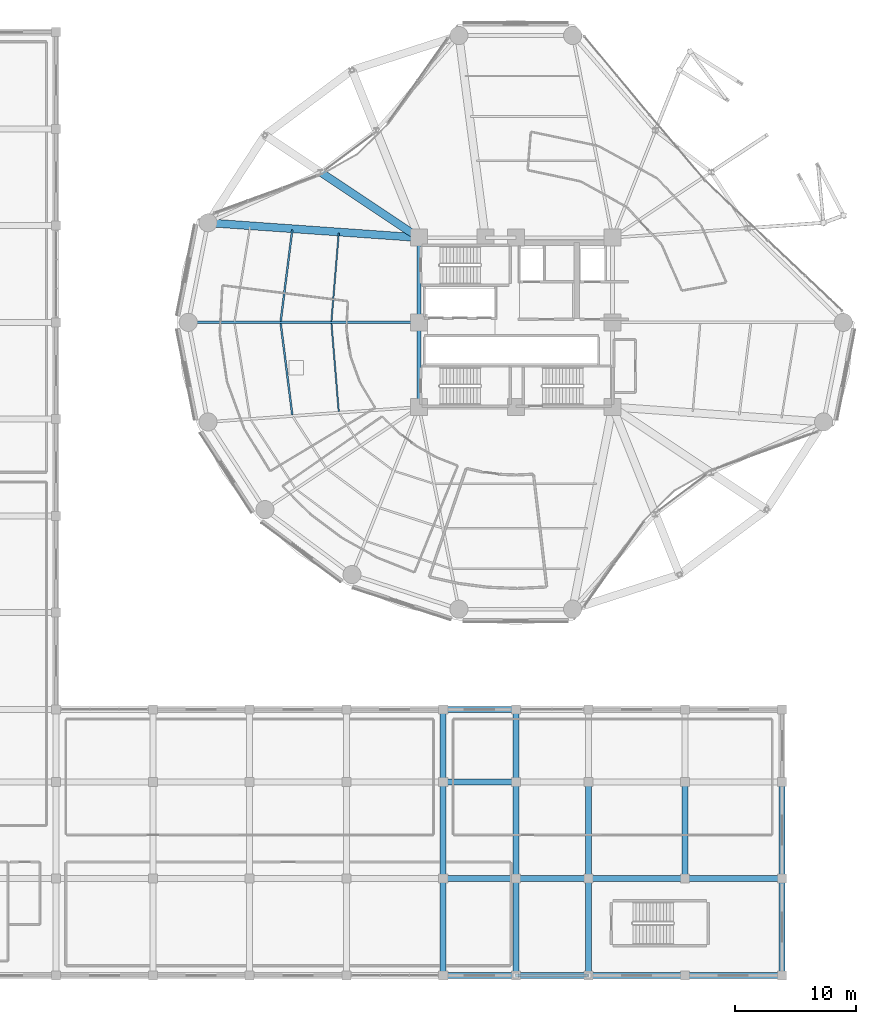
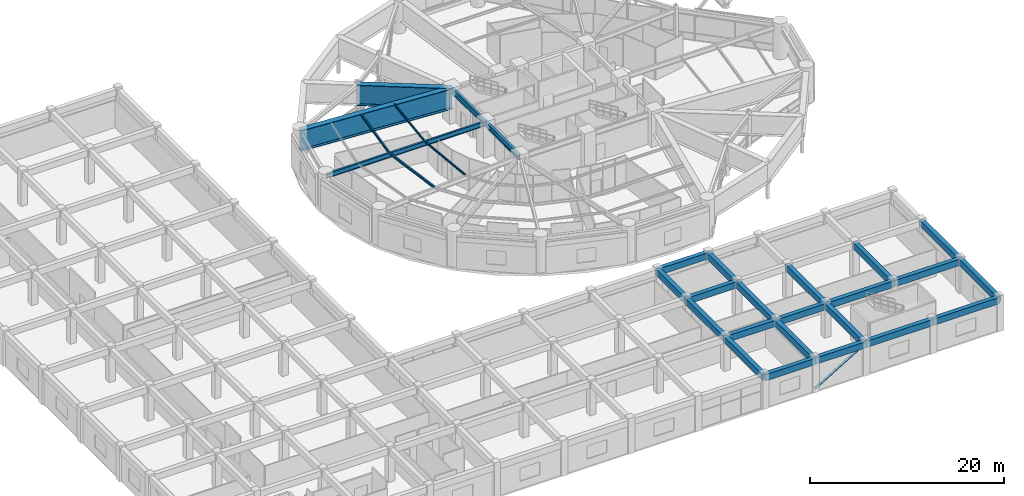
# One storey, part 16 of 53: 30 beams, 1 member.
"""IFC4 building model written with IfcOpenShell, lengths in metres."""

from ifc_helpers import new_model, si_unit, direction, frame, origin, origin_2d, place, context, subcontext, project, spatial, rectangle, hollow_circle, i_section, extrude, material, material_profile, profile_set, type_object, element, save


model = new_model("IFC4")

# Units and contexts
model_context = context("Model", 3, precision=1e-05, world=origin(), true_north=direction((0.0, 1.0)))
body_context = subcontext(model_context, "Body", "Model", "MODEL_VIEW")
ifc_project = project(units=[si_unit("LENGTHUNIT", "METRE"), si_unit("AREAUNIT", "SQUARE_METRE"), si_unit("VOLUMEUNIT", "CUBIC_METRE"), si_unit("PLANEANGLEUNIT", "RADIAN"), si_unit("MASSUNIT", "GRAM", prefix="KILO")], contexts=[model_context])

# Site, building, storey
site_placement = place(None, origin())
site = spatial("IfcSite", under=ifc_project, at=site_placement, CompositionType="ELEMENT")
building_placement = place(site_placement, origin())
building = spatial("IfcBuilding", under=site, at=building_placement, Name="Kelanora Arch Commons", CompositionType="ELEMENT")
storey_placement = place(building_placement, frame((0.0, 0.0, 9.0)))
storey = spatial("IfcBuildingStorey", under=building, at=storey_placement, Name="L02", CompositionType="ELEMENT", Elevation=9.0)

# Beams
ifc_material_1 = material(Name="Steel S355", Category="steel")
ifc_material_profile_1 = material_profile(ifc_material_1, i_section(OverallWidth=0.300048828125, OverallDepth=0.699951171875, WebThickness=0.01708984375, FlangeThickness=0.031982421875, FilletRadius=0.027099609375, at=origin_2d()), Name="HEB700")
ifc_profile_set_1 = profile_set([ifc_material_profile_1], Name="Steel S355")
beam_type_1 = type_object("IfcBeamType", Name="BM-CORE-HDR", PredefinedType="BEAM", material=ifc_profile_set_1)
for number, where, z_axis, x_axis, name in (
    (1, (66.0, 65.0, 3.75), (0.0, -1.0, 0.0), (1.0, 0.0, 0.0), "Core Header Beam 08 L02"),
    (2, (66.0, 58.0, 3.75), (0.0, -1.0, 0.0), (1.0, 0.0, 0.0), "Core Header Beam 09 L02"),
):
    element("IfcBeam", number, at=place(storey_placement, frame(where, z_axis=z_axis, x_axis=x_axis)), inside=storey, type_object=beam_type_1, Name=name, PredefinedType="BEAM", context=body_context, shape_type="SweptSolid", body=[
        extrude(i_section(OverallWidth=0.300048828125, OverallDepth=0.699951171875, WebThickness=0.01708984375, FlangeThickness=0.031982421875, FilletRadius=0.027099609375, at=origin_2d()), origin(), (0.0, 0.0, 1.0), 7.0),
    ])
ifc_material_profile_2 = material_profile(ifc_material_1, i_section(OverallWidth=0.14990234375, OverallDepth=0.300048828125, WebThickness=0.007080078125, FlangeThickness=0.0107421875, FilletRadius=0.014892578125, at=origin_2d()), Name="IPE300")
ifc_profile_set_2 = profile_set([ifc_material_profile_2], Name="Steel S355")
beam_type_2 = type_object("IfcBeamType", Name="BM-JST-01", PredefinedType="JOIST", material=ifc_profile_set_2)
for number, where, z_axis, x_axis, name in (
    (3, (55.521240234375, 65.6572265625, 3.949951171875), (-0.125565841651, -0.992085288375, 0.0), (0.992085288375, -0.125565841651, 0.0), "Secondary Chord Joist BJB-16 L02"),
    (4, (54.562744140625, 57.915771484375, 3.949951171875), (0.125565841651, -0.992085288375, 0.0), (0.992085288375, 0.125565841651, 0.0), "Secondary Chord Joist BJB-18 L02"),
):
    element("IfcBeam", number, at=place(storey_placement, frame(where, z_axis=z_axis, x_axis=x_axis)), inside=storey, type_object=beam_type_2, Name=name, PredefinedType="JOIST", context=body_context, shape_type="SweptSolid", body=[
        extrude(i_section(OverallWidth=0.14990234375, OverallDepth=0.300048828125, WebThickness=0.007080078125, FlangeThickness=0.0107421875, FilletRadius=0.014892578125, at=origin_2d()), origin(), (0.0, 0.0, 1.0), 7.63330078125),
    ])
ifc_material_profile_3 = material_profile(ifc_material_1, i_section(OverallWidth=0.1201171875, OverallDepth=0.239990234375, WebThickness=0.006103515625, FlangeThickness=0.009765625, FilletRadius=0.014892578125, at=origin_2d()), Name="IPE240")
ifc_profile_set_3 = profile_set([ifc_material_profile_3], Name="Steel S355")
beam_type_3 = type_object("IfcBeamType", Name="BM-JST-02", PredefinedType="JOIST", material=ifc_profile_set_3)
for number, where, z_axis, x_axis, name in (
    (5, (59.363037109375, 65.385009765625, 3.97998046875), (-0.082786209886, -0.996567330115, 0.0), (0.996567330115, -0.082786209886, 0.0), "Secondary Chord Joist BJA-16 L02"),
    (6, (58.756591796875, 57.915283203125, 3.97998046875), (0.082786209886, -0.996567330115, 0.0), (0.996567330115, 0.082786209886, 0.0), "Secondary Chord Joist BJA-18 L02"),
):
    element("IfcBeam", number, at=place(storey_placement, frame(where, z_axis=z_axis, x_axis=x_axis)), inside=storey, type_object=beam_type_3, Name=name, PredefinedType="JOIST", context=body_context, shape_type="SweptSolid", body=[
        extrude(i_section(OverallWidth=0.1201171875, OverallDepth=0.239990234375, WebThickness=0.006103515625, FlangeThickness=0.009765625, FilletRadius=0.014892578125, at=origin_2d()), origin(), (0.0, 0.0, 1.0), 7.325439453125),
    ])
ifc_material_2 = material(Name="Concrete C40/50", Category="concrete")
ifc_material_profile_4 = material_profile(ifc_material_2, rectangle(XDim=0.5, YDim=0.800048828125, at=origin_2d()), Name="RCB500x800")
ifc_profile_set_4 = profile_set([ifc_material_profile_4], Name="Concrete C40/50")
beam_type_4 = type_object("IfcBeamType", Name="BM-MKT-RC1", PredefinedType="BEAM", material=ifc_profile_set_4)
beam_1_placement = place(storey_placement, frame((68.0, 4.0, 3.840087890625), z_axis=(1.0, 0.0, 0.0), x_axis=(0.0, 1.0, 0.0)))
element("IfcBeam", 7, at=beam_1_placement, inside=storey, type_object=beam_type_4, Name="Market/Basement Frame Beam 115 L02", PredefinedType="BEAM", context=body_context, shape_type="SweptSolid", body=[
    extrude(rectangle(XDim=0.5, YDim=0.800048828125, at=origin_2d()), origin(), (0.0, 0.0, 1.0), 6.0),
])
beam_2_placement = place(storey_placement, frame((68.0, 4.0, 3.840087890625), z_axis=(0.0, 1.0, 0.0), x_axis=(-1.0, 0.0, 0.0)))
element("IfcBeam", 8, at=beam_2_placement, inside=storey, type_object=beam_type_4, Name="Market/Basement Frame Beam 116 L02", PredefinedType="BEAM", context=body_context, shape_type="SweptSolid", body=[
    extrude(rectangle(XDim=0.5, YDim=0.800048828125, at=origin_2d()), origin(), (0.0, 0.0, 1.0), 8.0),
])
beam_3_placement = place(storey_placement, frame((68.0, 12.0, 3.840087890625), z_axis=(1.0, 0.0, 0.0), x_axis=(0.0, 1.0, 0.0)))
element("IfcBeam", 9, at=beam_3_placement, inside=storey, type_object=beam_type_4, Name="Market/Basement Frame Beam 117 L02", PredefinedType="BEAM", context=body_context, shape_type="SweptSolid", body=[
    extrude(rectangle(XDim=0.5, YDim=0.800048828125, at=origin_2d()), origin(), (0.0, 0.0, 1.0), 6.0),
])
beam_4_placement = place(storey_placement, frame((68.0, 12.0, 3.840087890625), z_axis=(0.0, 1.0, 0.0), x_axis=(-1.0, 0.0, 0.0)))
element("IfcBeam", 10, at=beam_4_placement, inside=storey, type_object=beam_type_4, Name="Market/Basement Frame Beam 118 L02", PredefinedType="BEAM", context=body_context, shape_type="SweptSolid", body=[
    extrude(rectangle(XDim=0.5, YDim=0.800048828125, at=origin_2d()), origin(), (0.0, 0.0, 1.0), 8.0),
])
for number, where, z_axis, x_axis, name in (
    (11, (68.0, 20.0, 3.840087890625), (1.0, 0.0, 0.0), (0.0, 1.0, 0.0), "Market/Basement Frame Beam 119 L02"),
    (12, (68.0, 20.0, 3.840087890625), (0.0, 1.0, 0.0), (-1.0, 0.0, 0.0), "Market/Basement Frame Beam 120 L02"),
    (13, (68.0, 26.0, 3.840087890625), (1.0, 0.0, 0.0), (0.0, 1.0, 0.0), "Market/Basement Frame Beam 121 L02"),
    (14, (74.0, 4.0, 3.840087890625), (1.0, 0.0, 0.0), (0.0, 1.0, 0.0), "Market/Basement Frame Beam 122 L02"),
):
    element("IfcBeam", number, at=place(storey_placement, frame(where, z_axis=z_axis, x_axis=x_axis)), inside=storey, type_object=beam_type_4, Name=name, PredefinedType="BEAM", context=body_context, shape_type="SweptSolid", body=[
        extrude(rectangle(XDim=0.5, YDim=0.800048828125, at=origin_2d()), origin(), (0.0, 0.0, 1.0), 6.0),
    ])
beam_5_placement = place(storey_placement, frame((74.0, 4.0, 3.840087890625), z_axis=(0.0, 1.0, 0.0), x_axis=(-1.0, 0.0, 0.0)))
element("IfcBeam", 15, at=beam_5_placement, inside=storey, type_object=beam_type_4, Name="Market/Basement Frame Beam 123 L02", PredefinedType="BEAM", context=body_context, shape_type="SweptSolid", body=[
    extrude(rectangle(XDim=0.5, YDim=0.800048828125, at=origin_2d()), origin(), (0.0, 0.0, 1.0), 8.0),
])
beam_6_placement = place(storey_placement, frame((74.0, 12.0, 3.840087890625), z_axis=(1.0, 0.0, 0.0), x_axis=(0.0, 1.0, 0.0)))
element("IfcBeam", 16, at=beam_6_placement, inside=storey, type_object=beam_type_4, Name="Market/Basement Frame Beam 124 L02", PredefinedType="BEAM", context=body_context, shape_type="SweptSolid", body=[
    extrude(rectangle(XDim=0.5, YDim=0.800048828125, at=origin_2d()), origin(), (0.0, 0.0, 1.0), 6.0),
])
beam_7_placement = place(storey_placement, frame((74.0, 12.0, 3.840087890625), z_axis=(0.0, 1.0, 0.0), x_axis=(-1.0, 0.0, 0.0)))
element("IfcBeam", 17, at=beam_7_placement, inside=storey, type_object=beam_type_4, Name="Market/Basement Frame Beam 125 L02", PredefinedType="BEAM", context=body_context, shape_type="SweptSolid", body=[
    extrude(rectangle(XDim=0.5, YDim=0.800048828125, at=origin_2d()), origin(), (0.0, 0.0, 1.0), 8.0),
])
beam_8_placement = place(storey_placement, frame((74.0, 20.0, 3.840087890625), z_axis=(0.0, 1.0, 0.0), x_axis=(-1.0, 0.0, 0.0)))
element("IfcBeam", 18, at=beam_8_placement, inside=storey, type_object=beam_type_4, Name="Market/Basement Frame Beam 127 L02", PredefinedType="BEAM", context=body_context, shape_type="SweptSolid", body=[
    extrude(rectangle(XDim=0.5, YDim=0.800048828125, at=origin_2d()), origin(), (0.0, 0.0, 1.0), 6.0),
])
for number, where, z_axis, x_axis, name in (
    (19, (80.0, 4.0, 3.840087890625), (1.0, 0.0, 0.0), (0.0, 1.0, 0.0), "Market/Basement Frame Beam 129 L02"),
    (20, (80.0, 4.0, 3.840087890625), (0.0, 1.0, 0.0), (-1.0, 0.0, 0.0), "Market/Basement Frame Beam 130 L02"),
    (21, (80.0, 12.0, 3.840087890625), (1.0, 0.0, 0.0), (0.0, 1.0, 0.0), "Market/Basement Frame Beam 131 L02"),
    (22, (80.0, 12.0, 3.840087890625), (0.0, 1.0, 0.0), (-1.0, 0.0, 0.0), "Market/Basement Frame Beam 132 L02"),
    (23, (88.0, 4.0, 3.840087890625), (1.0, 0.0, 0.0), (0.0, 1.0, 0.0), "Market/Basement Frame Beam 136 L02"),
    (24, (88.0, 12.0, 3.840087890625), (1.0, 0.0, 0.0), (0.0, 1.0, 0.0), "Market/Basement Frame Beam 137 L02"),
    (25, (88.0, 12.0, 3.840087890625), (0.0, 1.0, 0.0), (-1.0, 0.0, 0.0), "Market/Basement Frame Beam 138 L02"),
    (26, (96.0, 4.0, 3.840087890625), (0.0, 1.0, 0.0), (-1.0, 0.0, 0.0), "Market/Basement Frame Beam 142 L02"),
    (27, (96.0, 12.0, 3.840087890625), (0.0, 1.0, 0.0), (-1.0, 0.0, 0.0), "Market/Basement Frame Beam 143 L02"),
):
    element("IfcBeam", number, at=place(storey_placement, frame(where, z_axis=z_axis, x_axis=x_axis)), inside=storey, type_object=beam_type_4, Name=name, PredefinedType="BEAM", context=body_context, shape_type="SweptSolid", body=[
        extrude(rectangle(XDim=0.5, YDim=0.800048828125, at=origin_2d()), origin(), (0.0, 0.0, 1.0), 8.0),
    ])
ifc_material_profile_5 = material_profile(ifc_material_1, i_section(OverallWidth=0.219970703125, OverallDepth=0.60009765625, WebThickness=0.011962890625, FlangeThickness=0.01904296875, FilletRadius=0.02392578125, at=origin_2d()), Name="IPE600")
ifc_profile_set_5 = profile_set([ifc_material_profile_5], Name="Steel S355")
beam_type_5 = type_object("IfcBeamType", Name="BM-RAD-Z1", PredefinedType="BEAM", material=ifc_profile_set_5)
beam_9_placement = place(storey_placement, frame((66.0, 58.0, 3.800048828125), z_axis=(-1.0, 0.0, 0.0), x_axis=(0.0, -1.0, 0.0)))
element("IfcBeam", 28, at=beam_9_placement, inside=storey, type_object=beam_type_5, Name="Radial Floor Girder BR-18 L02", PredefinedType="BEAM", context=body_context, shape_type="SweptSolid", body=[
    extrude(i_section(OverallWidth=0.219970703125, OverallDepth=0.60009765625, WebThickness=0.011962890625, FlangeThickness=0.01904296875, FilletRadius=0.02392578125, at=origin_2d()), origin(), (0.0, 0.0, 1.0), 19.080078125),
])
ifc_material_profile_6 = material_profile(ifc_material_1, i_section(OverallWidth=0.64990234375, OverallDepth=2.60009765625, WebThickness=0.034912109375, FlangeThickness=0.054931640625, FilletRadius=0.028076171875, at=origin_2d()), Name="PG2600x650")
ifc_profile_set_6 = profile_set([ifc_material_profile_6], Name="Steel S355")
beam_type_6 = type_object("IfcBeamType", Name="BM-XFER-ARCH", PredefinedType="USERDEFINED", material=ifc_profile_set_6)
beam_10_placement = place(storey_placement, frame((66.0, 65.0, 2.800048828125), z_axis=(-0.832598158113, 0.553877519951, 0.0), x_axis=(-0.553877519951, -0.832598158113, 0.0)))
element("IfcBeam", 29, at=beam_10_placement, inside=storey, type_object=beam_type_6, Name="Radial Inner Transfer Girder BRI-14 L02", ObjectType="TRANSFER_GIRDER", PredefinedType="USERDEFINED", context=body_context, shape_type="SweptSolid", body=[
    extrude(i_section(OverallWidth=0.64990234375, OverallDepth=2.60009765625, WebThickness=0.034912109375, FlangeThickness=0.054931640625, FilletRadius=0.028076171875, at=origin_2d()), origin(), (0.0, 0.0, 1.0), 9.79638671875),
])
beam_11_placement = place(storey_placement, frame((66.0, 65.0, 2.800048828125), z_axis=(-0.997500683472, 0.070656821848, 0.0), x_axis=(-0.070656821848, -0.997500683472, 0.0)))
element("IfcBeam", 30, at=beam_11_placement, inside=storey, type_object=beam_type_6, Name="Radial Floor Girder BR-16 L02", ObjectType="TRANSFER_GIRDER", PredefinedType="USERDEFINED", context=body_context, shape_type="SweptSolid", body=[
    extrude(i_section(OverallWidth=0.64990234375, OverallDepth=2.60009765625, WebThickness=0.034912109375, FlangeThickness=0.054931640625, FilletRadius=0.028076171875, at=origin_2d()), origin(), (0.0, 0.0, 1.0), 17.49072265625),
])

# Member
ifc_material_profile_7 = material_profile(ifc_material_1, hollow_circle(Radius=0.136474609375, WallThickness=0.012451171875, at=origin_2d()), Name="CHS273x12.5")
ifc_profile_set_7 = profile_set([ifc_material_profile_7], Name="Steel S355")
member_type = type_object("IfcMemberType", Name="MEM-MKT-BRACE", PredefinedType="BRACE", material=ifc_profile_set_7)
member_placement = place(storey_placement, frame((74.0, 4.0, 0.25), z_axis=(0.857486768376, 0.0, 0.514506017516), x_axis=(0.0, 1.0, 0.0)))
element("IfcMember", 31, at=member_placement, inside=storey, type_object=member_type, Name="Market Hall Lateral Brace 02 L02", PredefinedType="BRACE", context=body_context, shape_type="SweptSolid", body=[
    extrude(hollow_circle(Radius=0.136474609375, WallThickness=0.012451171875, at=origin_2d()), origin(), (0.0, 0.0, 1.0), 6.997314453125),
])

save(model, "model.ifc")
